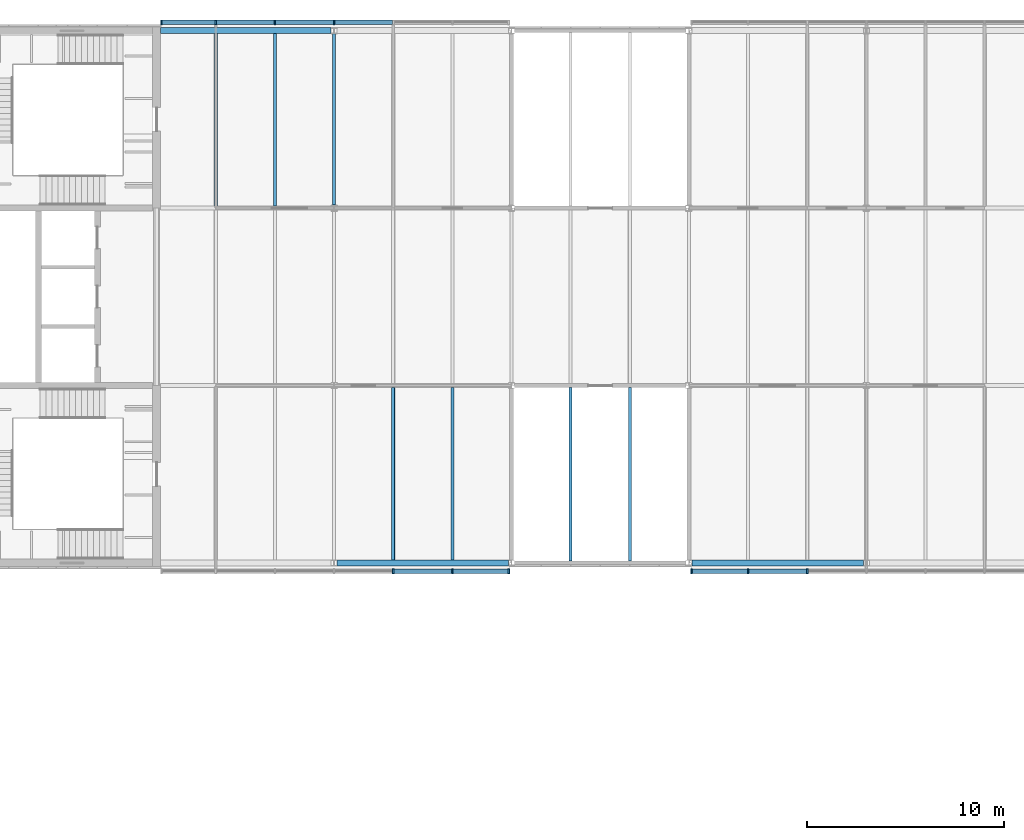
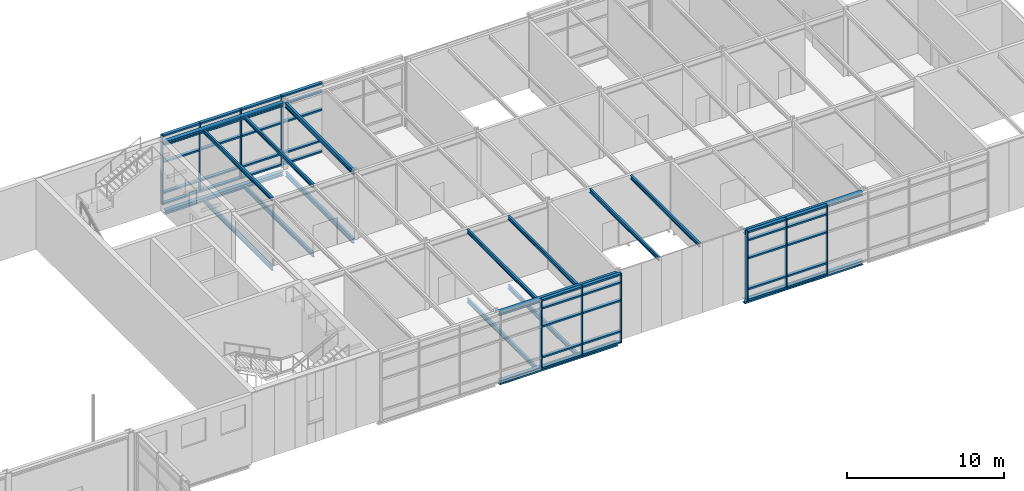
# One storey, part 25 of 46: 50 members, 18 beams, 3 elements without a shape of their own.
"""IFC4 building model written with IfcOpenShell, lengths in metres."""

from ifc_helpers import new_model, si_unit, direction, frame, origin, origin_2d, place, context, subcontext, project, spatial, rectangle, i_section, extrude, material, material_profile, profile_set, type_object, element, aggregate, save


model = new_model("IFC4")

# Units and contexts
model_context = context("Model", 3, precision=1e-05, world=origin(), true_north=direction((0.0, 1.0)))
body_context = subcontext(model_context, "Body", "Model", "MODEL_VIEW")
ifc_project = project(units=[si_unit("LENGTHUNIT", "METRE"), si_unit("AREAUNIT", "SQUARE_METRE"), si_unit("VOLUMEUNIT", "CUBIC_METRE"), si_unit("PLANEANGLEUNIT", "RADIAN"), si_unit("MASSUNIT", "GRAM", prefix="KILO")], contexts=[model_context])

# Site, building, storey
site_placement = place(None, origin())
site = spatial("IfcSite", under=ifc_project, at=site_placement, CompositionType="ELEMENT")
building_placement = place(site_placement, origin())
building = spatial("IfcBuilding", under=site, at=building_placement, Name="Azimuth Sports and Learning Centre", CompositionType="ELEMENT")
storey_placement = place(building_placement, frame((0.0, 0.0, 21.60009765625)))
storey = spatial("IfcBuildingStorey", under=building, at=storey_placement, Name="L04", CompositionType="ELEMENT", Elevation=21.60009765625)

# Beams
ifc_material_1 = material(Name="Steel S355", Category="steel")
ifc_material_profile_1 = material_profile(ifc_material_1, i_section(OverallWidth=0.169921875, OverallDepth=0.360107421875, WebThickness=0.008056640625, FlangeThickness=0.0126953125, FilletRadius=0.01806640625, at=origin_2d()), Name="IPE 360")
ifc_profile_set_1 = profile_set([ifc_material_profile_1], Name="Steel S355")
beam_type_1 = type_object("IfcBeamType", Name="Beam IPE 360", PredefinedType="BEAM", material=ifc_profile_set_1)
beam_1_placement = place(storey_placement, frame((126.0, 108.179931640625, -0.330078125), z_axis=(0.0, 1.0, 0.0), x_axis=(-1.0, 0.0, 0.0)))
element("IfcBeam", 1, at=beam_1_placement, inside=storey, type_object=beam_type_1, Name="Beam L04 WE 20", PredefinedType="BEAM", context=body_context, shape_type="SweptSolid", body=[
    extrude(i_section(OverallWidth=0.169921875, OverallDepth=0.360107421875, WebThickness=0.008056640625, FlangeThickness=0.0126953125, FilletRadius=0.01806640625, at=origin_2d()), origin(), (0.0, 0.0, 1.0), 8.64013671875),
])
beam_2_placement = place(storey_placement, frame((126.0, 108.14990234375, 5.02001953125), z_axis=(0.0, 1.0, 0.0), x_axis=(-1.0, 0.0, 0.0)))
element("IfcBeam", 2, at=beam_2_placement, inside=storey, type_object=beam_type_1, Name="Beam L04 TE 81", PredefinedType="BEAM", context=body_context, shape_type="SweptSolid", body=[
    extrude(i_section(OverallWidth=0.169921875, OverallDepth=0.360107421875, WebThickness=0.008056640625, FlangeThickness=0.0126953125, FilletRadius=0.01806640625, at=origin_2d()), origin(), (0.0, 0.0, 1.0), 8.7001953125),
])
ifc_material_2 = material(Name="Steel S355", Category="steel")
ifc_material_profile_2 = material_profile(ifc_material_2, i_section(OverallWidth=0.300048828125, OverallDepth=0.2900390625, WebThickness=0.008544921875, FlangeThickness=0.013916015625, FilletRadius=0.027099609375, at=origin_2d()), Name="HEA 300")
ifc_profile_set_2 = profile_set([ifc_material_profile_2], Name="Steel S355")
beam_type_2 = type_object("IfcBeamType", Name="Edge beam HEA 300", PredefinedType="SPANDREL", material=ifc_profile_set_2)
for number, where, z_axis, x_axis, name in (
    (3, (126.14990234375, 90.0, 5.054931640625), (1.0, 0.0, 0.0), (0.0, 1.0, 0.0), "Edge beam L04 TE 63"),
    (4, (144.14990234375, 90.0, 5.054931640625), (1.0, 0.0, 0.0), (0.0, 1.0, 0.0), "Edge beam L04 TE 64"),
):
    element("IfcBeam", number, at=place(storey_placement, frame(where, z_axis=z_axis, x_axis=x_axis)), inside=storey, type_object=beam_type_2, Name=name, PredefinedType="SPANDREL", context=body_context, shape_type="SweptSolid", body=[
        extrude(i_section(OverallWidth=0.300048828125, OverallDepth=0.2900390625, WebThickness=0.008544921875, FlangeThickness=0.013916015625, FilletRadius=0.027099609375, at=origin_2d()), origin(), (0.0, 0.0, 1.0), 8.7001953125),
    ])
beam_3_placement = place(storey_placement, frame((117.199951171875, 117.0, 5.054931640625), z_axis=(1.0, 0.0, 0.0), x_axis=(0.0, 1.0, 0.0)))
element("IfcBeam", 5, at=beam_3_placement, inside=storey, type_object=beam_type_2, Name="Edge beam L04 TE 74", PredefinedType="SPANDREL", context=body_context, shape_type="SweptSolid", body=[
    extrude(i_section(OverallWidth=0.300048828125, OverallDepth=0.2900390625, WebThickness=0.008544921875, FlangeThickness=0.013916015625, FilletRadius=0.027099609375, at=origin_2d()), origin(), (0.0, 0.0, 1.0), 8.650146484375),
])
ifc_material_3 = material(Name="Steel S355", Category="steel")
ifc_material_profile_3 = material_profile(ifc_material_3, i_section(OverallWidth=0.300048828125, OverallDepth=0.31005859375, WebThickness=0.009033203125, FlangeThickness=0.015380859375, FilletRadius=0.027099609375, at=origin_2d()), Name="HEA 320")
ifc_profile_set_3 = profile_set([ifc_material_profile_3], Name="Steel S355")
beam_type_3 = type_object("IfcBeamType", Name="Edge beam HEA 320", PredefinedType="SPANDREL", material=ifc_profile_set_3)
for number, where, z_axis, x_axis, name in (
    (6, (126.14990234375, 90.0, -0.30517578125), (1.0, 0.0, 0.0), (0.0, 1.0, 0.0), "Edge beam L04 WE 2"),
    (7, (144.14990234375, 90.0, -0.30517578125), (1.0, 0.0, 0.0), (0.0, 1.0, 0.0), "Edge beam L04 WE 3"),
):
    element("IfcBeam", number, at=place(storey_placement, frame(where, z_axis=z_axis, x_axis=x_axis)), inside=storey, type_object=beam_type_3, Name=name, PredefinedType="SPANDREL", context=body_context, shape_type="SweptSolid", body=[
        extrude(i_section(OverallWidth=0.300048828125, OverallDepth=0.31005859375, WebThickness=0.009033203125, FlangeThickness=0.015380859375, FilletRadius=0.027099609375, at=origin_2d()), origin(), (0.0, 0.0, 1.0), 8.7001953125),
    ])
beam_4_placement = place(storey_placement, frame((117.199951171875, 117.0, -0.30517578125), z_axis=(1.0, 0.0, 0.0), x_axis=(0.0, 1.0, 0.0)))
element("IfcBeam", 8, at=beam_4_placement, inside=storey, type_object=beam_type_3, Name="Edge beam L04 WE 13", PredefinedType="SPANDREL", context=body_context, shape_type="SweptSolid", body=[
    extrude(i_section(OverallWidth=0.300048828125, OverallDepth=0.31005859375, WebThickness=0.009033203125, FlangeThickness=0.015380859375, FilletRadius=0.027099609375, at=origin_2d()), origin(), (0.0, 0.0, 1.0), 8.650146484375),
])
ifc_material_4 = material(Name="Steel S355", Category="steel")
ifc_material_profile_4 = material_profile(ifc_material_4, i_section(OverallWidth=0.14990234375, OverallDepth=0.300048828125, WebThickness=0.007080078125, FlangeThickness=0.0107421875, FilletRadius=0.014892578125, at=origin_2d()), Name="IPE 300")
ifc_profile_set_4 = profile_set([ifc_material_profile_4], Name="Steel S355")
beam_type_4 = type_object("IfcBeamType", Name="Joist IPE 300", PredefinedType="JOIST", material=ifc_profile_set_4)
for number, where, z_axis, x_axis, name in (
    (9, (120.0, 108.094970703125, 5.0498046875), (0.0, 1.0, 0.0), (-1.0, 0.0, 0.0), "Joist L04 TE 90"),
    (10, (123.0, 108.094970703125, 5.0498046875), (0.0, 1.0, 0.0), (-1.0, 0.0, 0.0), "Joist L04 TE 93"),
    (11, (129.0, 90.14990234375, 5.0498046875), (0.0, 1.0, 0.0), (-1.0, 0.0, 0.0), "Joist L04 TE 94"),
    (12, (132.0, 90.14990234375, 5.0498046875), (0.0, 1.0, 0.0), (-1.0, 0.0, 0.0), "Joist L04 TE 97"),
):
    element("IfcBeam", number, at=place(storey_placement, frame(where, z_axis=z_axis, x_axis=x_axis)), inside=storey, type_object=beam_type_4, Name=name, PredefinedType="JOIST", context=body_context, shape_type="SweptSolid", body=[
        extrude(i_section(OverallWidth=0.14990234375, OverallDepth=0.300048828125, WebThickness=0.007080078125, FlangeThickness=0.0107421875, FilletRadius=0.014892578125, at=origin_2d()), origin(), (0.0, 0.0, 1.0), 8.755126953125),
    ])
for number, where, z_axis, x_axis, name in (
    (13, (138.0, 90.10009765625, 5.0498046875), (0.0, 1.0, 0.0), (-1.0, 0.0, 0.0), "Joist L04 TE 100"),
    (14, (141.0, 90.10009765625, 5.0498046875), (0.0, 1.0, 0.0), (-1.0, 0.0, 0.0), "Joist L04 TE 103"),
):
    element("IfcBeam", number, at=place(storey_placement, frame(where, z_axis=z_axis, x_axis=x_axis)), inside=storey, type_object=beam_type_4, Name=name, PredefinedType="JOIST", context=body_context, shape_type="SweptSolid", body=[
        extrude(i_section(OverallWidth=0.14990234375, OverallDepth=0.300048828125, WebThickness=0.007080078125, FlangeThickness=0.0107421875, FilletRadius=0.014892578125, at=origin_2d()), origin(), (0.0, 0.0, 1.0), 8.7998046875),
    ])
ifc_material_5 = material(Name="Steel S355", Category="steel")
ifc_material_profile_5 = material_profile(ifc_material_5, i_section(OverallWidth=0.159912109375, OverallDepth=0.330078125, WebThickness=0.007568359375, FlangeThickness=0.011474609375, FilletRadius=0.01806640625, at=origin_2d()), Name="IPE 330")
ifc_profile_set_5 = profile_set([ifc_material_profile_5], Name="Steel S355")
beam_type_5 = type_object("IfcBeamType", Name="Joist IPE 330", PredefinedType="JOIST", material=ifc_profile_set_5)
for number, where, z_axis, x_axis, name in (
    (15, (120.0, 108.10009765625, -0.315185546875), (0.0, 1.0, 0.0), (-1.0, 0.0, 0.0), "Joist L04 WE 29"),
    (16, (123.0, 108.10009765625, -0.315185546875), (0.0, 1.0, 0.0), (-1.0, 0.0, 0.0), "Joist L04 WE 32"),
    (17, (129.0, 90.14990234375, -0.315185546875), (0.0, 1.0, 0.0), (-1.0, 0.0, 0.0), "Joist L04 WE 33"),
    (18, (132.0, 90.14990234375, -0.315185546875), (0.0, 1.0, 0.0), (-1.0, 0.0, 0.0), "Joist L04 WE 36"),
):
    element("IfcBeam", number, at=place(storey_placement, frame(where, z_axis=z_axis, x_axis=x_axis)), inside=storey, type_object=beam_type_5, Name=name, PredefinedType="JOIST", context=body_context, shape_type="SweptSolid", body=[
        extrude(i_section(OverallWidth=0.159912109375, OverallDepth=0.330078125, WebThickness=0.007568359375, FlangeThickness=0.011474609375, FilletRadius=0.01806640625, at=origin_2d()), origin(), (0.0, 0.0, 1.0), 8.75),
    ])

# Curtain wall, members
ifc_material_6 = material(Name="Aluminium and glass", Category="aluminium")
curtain_wall_type = type_object("IfcCurtainWallType", Name="Curtain wall podium wing 240", PredefinedType="NOTDEFINED", material=ifc_material_6)
curtain_wall_1_placement = place(storey_placement, origin())
curtain_wall_1 = element("IfcCurtainWall", 19, at=curtain_wall_1_placement, inside=storey, type_object=curtain_wall_type, Name="Curtain wall CW04-009", PredefinedType="NOTDEFINED")
ifc_material_7 = material(Name="Aluminium", Category="aluminium")
ifc_material_profile_6 = material_profile(ifc_material_7, rectangle(XDim=0.239990234375, YDim=0.080078125, at=origin_2d()), Name="Mullion 80x240")
ifc_profile_set_6 = profile_set([ifc_material_profile_6], Name="Aluminium")
member_type_1 = type_object("IfcMemberType", Name="Mullion 80x240", PredefinedType="MULLION", material=ifc_profile_set_6)
member_1_placement = place(storey_placement, frame((129.0, 89.580078125, 0.0), z_axis=(0.0, 0.0, 1.0), x_axis=(0.0, 1.0, 0.0)))
member_1 = element("IfcMember", 20, at=member_1_placement, type_object=member_type_1, Name="CW04-009 mullion 5", PredefinedType="MULLION", context=body_context, shape_type="SweptSolid", body=[
    extrude(rectangle(XDim=0.239990234375, YDim=0.080078125, at=origin_2d()), origin(), (0.0, 0.0, 1.0), 5.39990234375),
])
member_2_placement = place(storey_placement, frame((132.0, 89.580078125, 0.0), z_axis=(0.0, 0.0, 1.0), x_axis=(0.0, 1.0, 0.0)))
member_2 = element("IfcMember", 21, at=member_2_placement, type_object=member_type_1, Name="CW04-009 mullion 6", PredefinedType="MULLION", context=body_context, shape_type="SweptSolid", body=[
    extrude(rectangle(XDim=0.239990234375, YDim=0.080078125, at=origin_2d()), origin(), (0.0, 0.0, 1.0), 5.39990234375),
])
member_3_placement = place(storey_placement, frame((134.860107421875, 89.580078125, 0.0), z_axis=(0.0, 0.0, 1.0), x_axis=(0.0, 1.0, 0.0)))
member_3 = element("IfcMember", 22, at=member_3_placement, type_object=member_type_1, Name="CW04-009 mullion 7", PredefinedType="MULLION", context=body_context, shape_type="SweptSolid", body=[
    extrude(rectangle(XDim=0.239990234375, YDim=0.080078125, at=origin_2d()), origin(), (0.0, 0.0, 1.0), 5.39990234375),
])

curtain_wall_2_placement = place(storey_placement, origin())
curtain_wall_2 = element("IfcCurtainWall", 23, at=curtain_wall_2_placement, inside=storey, type_object=curtain_wall_type, Name="Curtain wall CW04-010", PredefinedType="NOTDEFINED")
member_4_placement = place(storey_placement, frame((144.139892578125, 89.580078125, 0.0), z_axis=(0.0, 0.0, 1.0), x_axis=(0.0, 1.0, 0.0)))
member_4 = element("IfcMember", 24, at=member_4_placement, type_object=member_type_1, Name="CW04-010 mullion 1", PredefinedType="MULLION", context=body_context, shape_type="SweptSolid", body=[
    extrude(rectangle(XDim=0.239990234375, YDim=0.080078125, at=origin_2d()), origin(), (0.0, 0.0, 1.0), 5.39990234375),
])
member_5_placement = place(storey_placement, frame((147.0, 89.580078125, 0.0), z_axis=(0.0, 0.0, 1.0), x_axis=(0.0, 1.0, 0.0)))
member_5 = element("IfcMember", 25, at=member_5_placement, type_object=member_type_1, Name="CW04-010 mullion 2", PredefinedType="MULLION", context=body_context, shape_type="SweptSolid", body=[
    extrude(rectangle(XDim=0.239990234375, YDim=0.080078125, at=origin_2d()), origin(), (0.0, 0.0, 1.0), 5.39990234375),
])
member_6_placement = place(storey_placement, frame((150.0, 89.580078125, 0.0), z_axis=(0.0, 0.0, 1.0), x_axis=(0.0, 1.0, 0.0)))
member_6 = element("IfcMember", 26, at=member_6_placement, type_object=member_type_1, Name="CW04-010 mullion 3", PredefinedType="MULLION", context=body_context, shape_type="SweptSolid", body=[
    extrude(rectangle(XDim=0.239990234375, YDim=0.080078125, at=origin_2d()), origin(), (0.0, 0.0, 1.0), 5.39990234375),
])

curtain_wall_3_placement = place(storey_placement, origin())
curtain_wall_3 = element("IfcCurtainWall", 27, at=curtain_wall_3_placement, inside=storey, type_object=curtain_wall_type, Name="Curtain wall CW04-012", PredefinedType="NOTDEFINED")
member_7_placement = place(storey_placement, frame((126.0, 117.419921875, 0.0), z_axis=(0.0, 0.0, 1.0), x_axis=(0.0, -1.0, 0.0)))
member_7 = element("IfcMember", 28, at=member_7_placement, type_object=member_type_1, Name="CW04-012 mullion 4", PredefinedType="MULLION", context=body_context, shape_type="SweptSolid", body=[
    extrude(rectangle(XDim=0.239990234375, YDim=0.080078125, at=origin_2d()), origin(), (0.0, 0.0, 1.0), 5.39990234375),
])
member_8_placement = place(storey_placement, frame((123.0, 117.419921875, 0.0), z_axis=(0.0, 0.0, 1.0), x_axis=(0.0, -1.0, 0.0)))
member_8 = element("IfcMember", 29, at=member_8_placement, type_object=member_type_1, Name="CW04-012 mullion 5", PredefinedType="MULLION", context=body_context, shape_type="SweptSolid", body=[
    extrude(rectangle(XDim=0.239990234375, YDim=0.080078125, at=origin_2d()), origin(), (0.0, 0.0, 1.0), 5.39990234375),
])
member_9_placement = place(storey_placement, frame((120.0, 117.419921875, 0.0), z_axis=(0.0, 0.0, 1.0), x_axis=(0.0, -1.0, 0.0)))
member_9 = element("IfcMember", 30, at=member_9_placement, type_object=member_type_1, Name="CW04-012 mullion 6", PredefinedType="MULLION", context=body_context, shape_type="SweptSolid", body=[
    extrude(rectangle(XDim=0.239990234375, YDim=0.080078125, at=origin_2d()), origin(), (0.0, 0.0, 1.0), 5.39990234375),
])
member_10_placement = place(storey_placement, frame((117.239990234375, 117.419921875, 0.0), z_axis=(0.0, 0.0, 1.0), x_axis=(0.0, -1.0, 0.0)))
member_10 = element("IfcMember", 31, at=member_10_placement, type_object=member_type_1, Name="CW04-012 mullion 7", PredefinedType="MULLION", context=body_context, shape_type="SweptSolid", body=[
    extrude(rectangle(XDim=0.239990234375, YDim=0.080078125, at=origin_2d()), origin(), (0.0, 0.0, 1.0), 5.39990234375),
])

# Member
ifc_material_8 = material(Name="Aluminium", Category="aluminium")
ifc_material_profile_7 = material_profile(ifc_material_8, rectangle(XDim=0.239990234375, YDim=0.1201171875, at=origin_2d()), Name="Transom 120x240")
ifc_profile_set_7 = profile_set([ifc_material_profile_7], Name="Aluminium")
member_type_2 = type_object("IfcMemberType", Name="Transom 120x240", PredefinedType="USERDEFINED", material=ifc_profile_set_7)
member_11_placement = place(storey_placement, frame((129.0400390625, 89.580078125, 0.059814453125), z_axis=(1.0, 0.0, 0.0), x_axis=(0.0, 1.0, 0.0)))
member_11 = element("IfcMember", 32, at=member_11_placement, type_object=member_type_2, Name="CW04-009 transom 5.1", ObjectType="TRANSOM", PredefinedType="USERDEFINED", context=body_context, shape_type="SweptSolid", body=[
    extrude(rectangle(XDim=0.239990234375, YDim=0.1201171875, at=origin_2d()), origin(), (0.0, 0.0, 1.0), 2.919921875),
])

member_12_placement = place(storey_placement, frame((129.0400390625, 89.580078125, 0.89990234375), z_axis=(1.0, 0.0, 0.0), x_axis=(0.0, 1.0, 0.0)))
member_12 = element("IfcMember", 33, at=member_12_placement, type_object=member_type_2, Name="CW04-009 transom 5.2", ObjectType="TRANSOM", PredefinedType="USERDEFINED", context=body_context, shape_type="SweptSolid", body=[
    extrude(rectangle(XDim=0.239990234375, YDim=0.1201171875, at=origin_2d()), origin(), (0.0, 0.0, 1.0), 2.919921875),
])

member_13_placement = place(storey_placement, frame((129.0400390625, 89.580078125, 3.2998046875), z_axis=(1.0, 0.0, 0.0), x_axis=(0.0, 1.0, 0.0)))
member_13 = element("IfcMember", 34, at=member_13_placement, type_object=member_type_2, Name="CW04-009 transom 5.3", ObjectType="TRANSOM", PredefinedType="USERDEFINED", context=body_context, shape_type="SweptSolid", body=[
    extrude(rectangle(XDim=0.239990234375, YDim=0.1201171875, at=origin_2d()), origin(), (0.0, 0.0, 1.0), 2.919921875),
])

member_14_placement = place(storey_placement, frame((129.0400390625, 89.580078125, 4.699951171875), z_axis=(1.0, 0.0, 0.0), x_axis=(0.0, 1.0, 0.0)))
member_14 = element("IfcMember", 35, at=member_14_placement, type_object=member_type_2, Name="CW04-009 transom 5.4", ObjectType="TRANSOM", PredefinedType="USERDEFINED", context=body_context, shape_type="SweptSolid", body=[
    extrude(rectangle(XDim=0.239990234375, YDim=0.1201171875, at=origin_2d()), origin(), (0.0, 0.0, 1.0), 2.919921875),
])

member_15_placement = place(storey_placement, frame((129.0400390625, 89.580078125, 5.33984375), z_axis=(1.0, 0.0, 0.0), x_axis=(0.0, 1.0, 0.0)))
member_15 = element("IfcMember", 36, at=member_15_placement, type_object=member_type_2, Name="CW04-009 transom 5.5", ObjectType="TRANSOM", PredefinedType="USERDEFINED", context=body_context, shape_type="SweptSolid", body=[
    extrude(rectangle(XDim=0.239990234375, YDim=0.1201171875, at=origin_2d()), origin(), (0.0, 0.0, 1.0), 2.919921875),
])

member_16_placement = place(storey_placement, frame((132.0400390625, 89.580078125, 0.059814453125), z_axis=(1.0, 0.0, 0.0), x_axis=(0.0, 1.0, 0.0)))
member_16 = element("IfcMember", 37, at=member_16_placement, type_object=member_type_2, Name="CW04-009 transom 6.1", ObjectType="TRANSOM", PredefinedType="USERDEFINED", context=body_context, shape_type="SweptSolid", body=[
    extrude(rectangle(XDim=0.239990234375, YDim=0.1201171875, at=origin_2d()), origin(), (0.0, 0.0, 1.0), 2.780029296875),
])

member_17_placement = place(storey_placement, frame((132.0400390625, 89.580078125, 0.89990234375), z_axis=(1.0, 0.0, 0.0), x_axis=(0.0, 1.0, 0.0)))
member_17 = element("IfcMember", 38, at=member_17_placement, type_object=member_type_2, Name="CW04-009 transom 6.2", ObjectType="TRANSOM", PredefinedType="USERDEFINED", context=body_context, shape_type="SweptSolid", body=[
    extrude(rectangle(XDim=0.239990234375, YDim=0.1201171875, at=origin_2d()), origin(), (0.0, 0.0, 1.0), 2.780029296875),
])

member_18_placement = place(storey_placement, frame((132.0400390625, 89.580078125, 3.2998046875), z_axis=(1.0, 0.0, 0.0), x_axis=(0.0, 1.0, 0.0)))
member_18 = element("IfcMember", 39, at=member_18_placement, type_object=member_type_2, Name="CW04-009 transom 6.3", ObjectType="TRANSOM", PredefinedType="USERDEFINED", context=body_context, shape_type="SweptSolid", body=[
    extrude(rectangle(XDim=0.239990234375, YDim=0.1201171875, at=origin_2d()), origin(), (0.0, 0.0, 1.0), 2.780029296875),
])

member_19_placement = place(storey_placement, frame((132.0400390625, 89.580078125, 4.699951171875), z_axis=(1.0, 0.0, 0.0), x_axis=(0.0, 1.0, 0.0)))
member_19 = element("IfcMember", 40, at=member_19_placement, type_object=member_type_2, Name="CW04-009 transom 6.4", ObjectType="TRANSOM", PredefinedType="USERDEFINED", context=body_context, shape_type="SweptSolid", body=[
    extrude(rectangle(XDim=0.239990234375, YDim=0.1201171875, at=origin_2d()), origin(), (0.0, 0.0, 1.0), 2.780029296875),
])

member_20_placement = place(storey_placement, frame((132.0400390625, 89.580078125, 5.33984375), z_axis=(1.0, 0.0, 0.0), x_axis=(0.0, 1.0, 0.0)))
member_20 = element("IfcMember", 41, at=member_20_placement, type_object=member_type_2, Name="CW04-009 transom 6.5", ObjectType="TRANSOM", PredefinedType="USERDEFINED", context=body_context, shape_type="SweptSolid", body=[
    extrude(rectangle(XDim=0.239990234375, YDim=0.1201171875, at=origin_2d()), origin(), (0.0, 0.0, 1.0), 2.780029296875),
])

aggregate(curtain_wall_1, [member_1, member_2, member_3, member_11, member_12, member_13, member_14, member_15, member_16, member_17, member_18, member_19, member_20])

member_21_placement = place(storey_placement, frame((144.179931640625, 89.580078125, 0.059814453125), z_axis=(1.0, 0.0, 0.0), x_axis=(0.0, 1.0, 0.0)))
member_21 = element("IfcMember", 42, at=member_21_placement, type_object=member_type_2, Name="CW04-010 transom 1.1", ObjectType="TRANSOM", PredefinedType="USERDEFINED", context=body_context, shape_type="SweptSolid", body=[
    extrude(rectangle(XDim=0.239990234375, YDim=0.1201171875, at=origin_2d()), origin(), (0.0, 0.0, 1.0), 2.780029296875),
])

member_22_placement = place(storey_placement, frame((144.179931640625, 89.580078125, 0.89990234375), z_axis=(1.0, 0.0, 0.0), x_axis=(0.0, 1.0, 0.0)))
member_22 = element("IfcMember", 43, at=member_22_placement, type_object=member_type_2, Name="CW04-010 transom 1.2", ObjectType="TRANSOM", PredefinedType="USERDEFINED", context=body_context, shape_type="SweptSolid", body=[
    extrude(rectangle(XDim=0.239990234375, YDim=0.1201171875, at=origin_2d()), origin(), (0.0, 0.0, 1.0), 2.780029296875),
])

member_23_placement = place(storey_placement, frame((144.179931640625, 89.580078125, 3.2998046875), z_axis=(1.0, 0.0, 0.0), x_axis=(0.0, 1.0, 0.0)))
member_23 = element("IfcMember", 44, at=member_23_placement, type_object=member_type_2, Name="CW04-010 transom 1.3", ObjectType="TRANSOM", PredefinedType="USERDEFINED", context=body_context, shape_type="SweptSolid", body=[
    extrude(rectangle(XDim=0.239990234375, YDim=0.1201171875, at=origin_2d()), origin(), (0.0, 0.0, 1.0), 2.780029296875),
])

member_24_placement = place(storey_placement, frame((144.179931640625, 89.580078125, 4.699951171875), z_axis=(1.0, 0.0, 0.0), x_axis=(0.0, 1.0, 0.0)))
member_24 = element("IfcMember", 45, at=member_24_placement, type_object=member_type_2, Name="CW04-010 transom 1.4", ObjectType="TRANSOM", PredefinedType="USERDEFINED", context=body_context, shape_type="SweptSolid", body=[
    extrude(rectangle(XDim=0.239990234375, YDim=0.1201171875, at=origin_2d()), origin(), (0.0, 0.0, 1.0), 2.780029296875),
])

member_25_placement = place(storey_placement, frame((144.179931640625, 89.580078125, 5.33984375), z_axis=(1.0, 0.0, 0.0), x_axis=(0.0, 1.0, 0.0)))
member_25 = element("IfcMember", 46, at=member_25_placement, type_object=member_type_2, Name="CW04-010 transom 1.5", ObjectType="TRANSOM", PredefinedType="USERDEFINED", context=body_context, shape_type="SweptSolid", body=[
    extrude(rectangle(XDim=0.239990234375, YDim=0.1201171875, at=origin_2d()), origin(), (0.0, 0.0, 1.0), 2.780029296875),
])

member_26_placement = place(storey_placement, frame((147.0400390625, 89.580078125, 0.059814453125), z_axis=(1.0, 0.0, 0.0), x_axis=(0.0, 1.0, 0.0)))
member_26 = element("IfcMember", 47, at=member_26_placement, type_object=member_type_2, Name="CW04-010 transom 2.1", ObjectType="TRANSOM", PredefinedType="USERDEFINED", context=body_context, shape_type="SweptSolid", body=[
    extrude(rectangle(XDim=0.239990234375, YDim=0.1201171875, at=origin_2d()), origin(), (0.0, 0.0, 1.0), 2.919921875),
])

member_27_placement = place(storey_placement, frame((147.0400390625, 89.580078125, 0.89990234375), z_axis=(1.0, 0.0, 0.0), x_axis=(0.0, 1.0, 0.0)))
member_27 = element("IfcMember", 48, at=member_27_placement, type_object=member_type_2, Name="CW04-010 transom 2.2", ObjectType="TRANSOM", PredefinedType="USERDEFINED", context=body_context, shape_type="SweptSolid", body=[
    extrude(rectangle(XDim=0.239990234375, YDim=0.1201171875, at=origin_2d()), origin(), (0.0, 0.0, 1.0), 2.919921875),
])

member_28_placement = place(storey_placement, frame((147.0400390625, 89.580078125, 3.2998046875), z_axis=(1.0, 0.0, 0.0), x_axis=(0.0, 1.0, 0.0)))
member_28 = element("IfcMember", 49, at=member_28_placement, type_object=member_type_2, Name="CW04-010 transom 2.3", ObjectType="TRANSOM", PredefinedType="USERDEFINED", context=body_context, shape_type="SweptSolid", body=[
    extrude(rectangle(XDim=0.239990234375, YDim=0.1201171875, at=origin_2d()), origin(), (0.0, 0.0, 1.0), 2.919921875),
])

member_29_placement = place(storey_placement, frame((147.0400390625, 89.580078125, 4.699951171875), z_axis=(1.0, 0.0, 0.0), x_axis=(0.0, 1.0, 0.0)))
member_29 = element("IfcMember", 50, at=member_29_placement, type_object=member_type_2, Name="CW04-010 transom 2.4", ObjectType="TRANSOM", PredefinedType="USERDEFINED", context=body_context, shape_type="SweptSolid", body=[
    extrude(rectangle(XDim=0.239990234375, YDim=0.1201171875, at=origin_2d()), origin(), (0.0, 0.0, 1.0), 2.919921875),
])

member_30_placement = place(storey_placement, frame((147.0400390625, 89.580078125, 5.33984375), z_axis=(1.0, 0.0, 0.0), x_axis=(0.0, 1.0, 0.0)))
member_30 = element("IfcMember", 51, at=member_30_placement, type_object=member_type_2, Name="CW04-010 transom 2.5", ObjectType="TRANSOM", PredefinedType="USERDEFINED", context=body_context, shape_type="SweptSolid", body=[
    extrude(rectangle(XDim=0.239990234375, YDim=0.1201171875, at=origin_2d()), origin(), (0.0, 0.0, 1.0), 2.919921875),
])

aggregate(curtain_wall_2, [member_4, member_5, member_6, member_21, member_22, member_23, member_24, member_25, member_26, member_27, member_28, member_29, member_30])

member_31_placement = place(storey_placement, frame((128.9599609375, 117.419921875, 0.059814453125), z_axis=(-1.0, 0.0, 0.0), x_axis=(0.0, -1.0, 0.0)))
member_31 = element("IfcMember", 52, at=member_31_placement, type_object=member_type_2, Name="CW04-012 transom 3.1", ObjectType="TRANSOM", PredefinedType="USERDEFINED", context=body_context, shape_type="SweptSolid", body=[
    extrude(rectangle(XDim=0.239990234375, YDim=0.1201171875, at=origin_2d()), origin(), (0.0, 0.0, 1.0), 2.919921875),
])

member_32_placement = place(storey_placement, frame((128.9599609375, 117.419921875, 0.89990234375), z_axis=(-1.0, 0.0, 0.0), x_axis=(0.0, -1.0, 0.0)))
member_32 = element("IfcMember", 53, at=member_32_placement, type_object=member_type_2, Name="CW04-012 transom 3.2", ObjectType="TRANSOM", PredefinedType="USERDEFINED", context=body_context, shape_type="SweptSolid", body=[
    extrude(rectangle(XDim=0.239990234375, YDim=0.1201171875, at=origin_2d()), origin(), (0.0, 0.0, 1.0), 2.919921875),
])

member_33_placement = place(storey_placement, frame((128.9599609375, 117.419921875, 3.2998046875), z_axis=(-1.0, 0.0, 0.0), x_axis=(0.0, -1.0, 0.0)))
member_33 = element("IfcMember", 54, at=member_33_placement, type_object=member_type_2, Name="CW04-012 transom 3.3", ObjectType="TRANSOM", PredefinedType="USERDEFINED", context=body_context, shape_type="SweptSolid", body=[
    extrude(rectangle(XDim=0.239990234375, YDim=0.1201171875, at=origin_2d()), origin(), (0.0, 0.0, 1.0), 2.919921875),
])

member_34_placement = place(storey_placement, frame((128.9599609375, 117.419921875, 4.699951171875), z_axis=(-1.0, 0.0, 0.0), x_axis=(0.0, -1.0, 0.0)))
member_34 = element("IfcMember", 55, at=member_34_placement, type_object=member_type_2, Name="CW04-012 transom 3.4", ObjectType="TRANSOM", PredefinedType="USERDEFINED", context=body_context, shape_type="SweptSolid", body=[
    extrude(rectangle(XDim=0.239990234375, YDim=0.1201171875, at=origin_2d()), origin(), (0.0, 0.0, 1.0), 2.919921875),
])

member_35_placement = place(storey_placement, frame((128.9599609375, 117.419921875, 5.33984375), z_axis=(-1.0, 0.0, 0.0), x_axis=(0.0, -1.0, 0.0)))
member_35 = element("IfcMember", 56, at=member_35_placement, type_object=member_type_2, Name="CW04-012 transom 3.5", ObjectType="TRANSOM", PredefinedType="USERDEFINED", context=body_context, shape_type="SweptSolid", body=[
    extrude(rectangle(XDim=0.239990234375, YDim=0.1201171875, at=origin_2d()), origin(), (0.0, 0.0, 1.0), 2.919921875),
])

member_36_placement = place(storey_placement, frame((125.9599609375, 117.419921875, 0.059814453125), z_axis=(-1.0, 0.0, 0.0), x_axis=(0.0, -1.0, 0.0)))
member_36 = element("IfcMember", 57, at=member_36_placement, type_object=member_type_2, Name="CW04-012 transom 4.1", ObjectType="TRANSOM", PredefinedType="USERDEFINED", context=body_context, shape_type="SweptSolid", body=[
    extrude(rectangle(XDim=0.239990234375, YDim=0.1201171875, at=origin_2d()), origin(), (0.0, 0.0, 1.0), 2.919921875),
])

member_37_placement = place(storey_placement, frame((125.9599609375, 117.419921875, 0.89990234375), z_axis=(-1.0, 0.0, 0.0), x_axis=(0.0, -1.0, 0.0)))
member_37 = element("IfcMember", 58, at=member_37_placement, type_object=member_type_2, Name="CW04-012 transom 4.2", ObjectType="TRANSOM", PredefinedType="USERDEFINED", context=body_context, shape_type="SweptSolid", body=[
    extrude(rectangle(XDim=0.239990234375, YDim=0.1201171875, at=origin_2d()), origin(), (0.0, 0.0, 1.0), 2.919921875),
])

member_38_placement = place(storey_placement, frame((125.9599609375, 117.419921875, 3.2998046875), z_axis=(-1.0, 0.0, 0.0), x_axis=(0.0, -1.0, 0.0)))
member_38 = element("IfcMember", 59, at=member_38_placement, type_object=member_type_2, Name="CW04-012 transom 4.3", ObjectType="TRANSOM", PredefinedType="USERDEFINED", context=body_context, shape_type="SweptSolid", body=[
    extrude(rectangle(XDim=0.239990234375, YDim=0.1201171875, at=origin_2d()), origin(), (0.0, 0.0, 1.0), 2.919921875),
])

member_39_placement = place(storey_placement, frame((125.9599609375, 117.419921875, 4.699951171875), z_axis=(-1.0, 0.0, 0.0), x_axis=(0.0, -1.0, 0.0)))
member_39 = element("IfcMember", 60, at=member_39_placement, type_object=member_type_2, Name="CW04-012 transom 4.4", ObjectType="TRANSOM", PredefinedType="USERDEFINED", context=body_context, shape_type="SweptSolid", body=[
    extrude(rectangle(XDim=0.239990234375, YDim=0.1201171875, at=origin_2d()), origin(), (0.0, 0.0, 1.0), 2.919921875),
])

member_40_placement = place(storey_placement, frame((125.9599609375, 117.419921875, 5.33984375), z_axis=(-1.0, 0.0, 0.0), x_axis=(0.0, -1.0, 0.0)))
member_40 = element("IfcMember", 61, at=member_40_placement, type_object=member_type_2, Name="CW04-012 transom 4.5", ObjectType="TRANSOM", PredefinedType="USERDEFINED", context=body_context, shape_type="SweptSolid", body=[
    extrude(rectangle(XDim=0.239990234375, YDim=0.1201171875, at=origin_2d()), origin(), (0.0, 0.0, 1.0), 2.919921875),
])

member_41_placement = place(storey_placement, frame((122.9599609375, 117.419921875, 0.059814453125), z_axis=(-1.0, 0.0, 0.0), x_axis=(0.0, -1.0, 0.0)))
member_41 = element("IfcMember", 62, at=member_41_placement, type_object=member_type_2, Name="CW04-012 transom 5.1", ObjectType="TRANSOM", PredefinedType="USERDEFINED", context=body_context, shape_type="SweptSolid", body=[
    extrude(rectangle(XDim=0.239990234375, YDim=0.1201171875, at=origin_2d()), origin(), (0.0, 0.0, 1.0), 2.919921875),
])

member_42_placement = place(storey_placement, frame((122.9599609375, 117.419921875, 0.89990234375), z_axis=(-1.0, 0.0, 0.0), x_axis=(0.0, -1.0, 0.0)))
member_42 = element("IfcMember", 63, at=member_42_placement, type_object=member_type_2, Name="CW04-012 transom 5.2", ObjectType="TRANSOM", PredefinedType="USERDEFINED", context=body_context, shape_type="SweptSolid", body=[
    extrude(rectangle(XDim=0.239990234375, YDim=0.1201171875, at=origin_2d()), origin(), (0.0, 0.0, 1.0), 2.919921875),
])

member_43_placement = place(storey_placement, frame((122.9599609375, 117.419921875, 3.2998046875), z_axis=(-1.0, 0.0, 0.0), x_axis=(0.0, -1.0, 0.0)))
member_43 = element("IfcMember", 64, at=member_43_placement, type_object=member_type_2, Name="CW04-012 transom 5.3", ObjectType="TRANSOM", PredefinedType="USERDEFINED", context=body_context, shape_type="SweptSolid", body=[
    extrude(rectangle(XDim=0.239990234375, YDim=0.1201171875, at=origin_2d()), origin(), (0.0, 0.0, 1.0), 2.919921875),
])

member_44_placement = place(storey_placement, frame((122.9599609375, 117.419921875, 4.699951171875), z_axis=(-1.0, 0.0, 0.0), x_axis=(0.0, -1.0, 0.0)))
member_44 = element("IfcMember", 65, at=member_44_placement, type_object=member_type_2, Name="CW04-012 transom 5.4", ObjectType="TRANSOM", PredefinedType="USERDEFINED", context=body_context, shape_type="SweptSolid", body=[
    extrude(rectangle(XDim=0.239990234375, YDim=0.1201171875, at=origin_2d()), origin(), (0.0, 0.0, 1.0), 2.919921875),
])

member_45_placement = place(storey_placement, frame((122.9599609375, 117.419921875, 5.33984375), z_axis=(-1.0, 0.0, 0.0), x_axis=(0.0, -1.0, 0.0)))
member_45 = element("IfcMember", 66, at=member_45_placement, type_object=member_type_2, Name="CW04-012 transom 5.5", ObjectType="TRANSOM", PredefinedType="USERDEFINED", context=body_context, shape_type="SweptSolid", body=[
    extrude(rectangle(XDim=0.239990234375, YDim=0.1201171875, at=origin_2d()), origin(), (0.0, 0.0, 1.0), 2.919921875),
])

member_46_placement = place(storey_placement, frame((119.9599609375, 117.419921875, 0.059814453125), z_axis=(-1.0, 0.0, 0.0), x_axis=(0.0, -1.0, 0.0)))
member_46 = element("IfcMember", 67, at=member_46_placement, type_object=member_type_2, Name="CW04-012 transom 6.1", ObjectType="TRANSOM", PredefinedType="USERDEFINED", context=body_context, shape_type="SweptSolid", body=[
    extrude(rectangle(XDim=0.239990234375, YDim=0.1201171875, at=origin_2d()), origin(), (0.0, 0.0, 1.0), 2.679931640625),
])

member_47_placement = place(storey_placement, frame((119.9599609375, 117.419921875, 0.89990234375), z_axis=(-1.0, 0.0, 0.0), x_axis=(0.0, -1.0, 0.0)))
member_47 = element("IfcMember", 68, at=member_47_placement, type_object=member_type_2, Name="CW04-012 transom 6.2", ObjectType="TRANSOM", PredefinedType="USERDEFINED", context=body_context, shape_type="SweptSolid", body=[
    extrude(rectangle(XDim=0.239990234375, YDim=0.1201171875, at=origin_2d()), origin(), (0.0, 0.0, 1.0), 2.679931640625),
])

member_48_placement = place(storey_placement, frame((119.9599609375, 117.419921875, 3.2998046875), z_axis=(-1.0, 0.0, 0.0), x_axis=(0.0, -1.0, 0.0)))
member_48 = element("IfcMember", 69, at=member_48_placement, type_object=member_type_2, Name="CW04-012 transom 6.3", ObjectType="TRANSOM", PredefinedType="USERDEFINED", context=body_context, shape_type="SweptSolid", body=[
    extrude(rectangle(XDim=0.239990234375, YDim=0.1201171875, at=origin_2d()), origin(), (0.0, 0.0, 1.0), 2.679931640625),
])

member_49_placement = place(storey_placement, frame((119.9599609375, 117.419921875, 4.699951171875), z_axis=(-1.0, 0.0, 0.0), x_axis=(0.0, -1.0, 0.0)))
member_49 = element("IfcMember", 70, at=member_49_placement, type_object=member_type_2, Name="CW04-012 transom 6.4", ObjectType="TRANSOM", PredefinedType="USERDEFINED", context=body_context, shape_type="SweptSolid", body=[
    extrude(rectangle(XDim=0.239990234375, YDim=0.1201171875, at=origin_2d()), origin(), (0.0, 0.0, 1.0), 2.679931640625),
])

member_50_placement = place(storey_placement, frame((119.9599609375, 117.419921875, 5.33984375), z_axis=(-1.0, 0.0, 0.0), x_axis=(0.0, -1.0, 0.0)))
member_50 = element("IfcMember", 71, at=member_50_placement, type_object=member_type_2, Name="CW04-012 transom 6.5", ObjectType="TRANSOM", PredefinedType="USERDEFINED", context=body_context, shape_type="SweptSolid", body=[
    extrude(rectangle(XDim=0.239990234375, YDim=0.1201171875, at=origin_2d()), origin(), (0.0, 0.0, 1.0), 2.679931640625),
])

aggregate(curtain_wall_3, [member_7, member_8, member_9, member_10, member_31, member_32, member_33, member_34, member_35, member_36, member_37, member_38, member_39, member_40, member_41, member_42, member_43, member_44, member_45, member_46, member_47, member_48, member_49, member_50])

save(model, "model.ifc")
